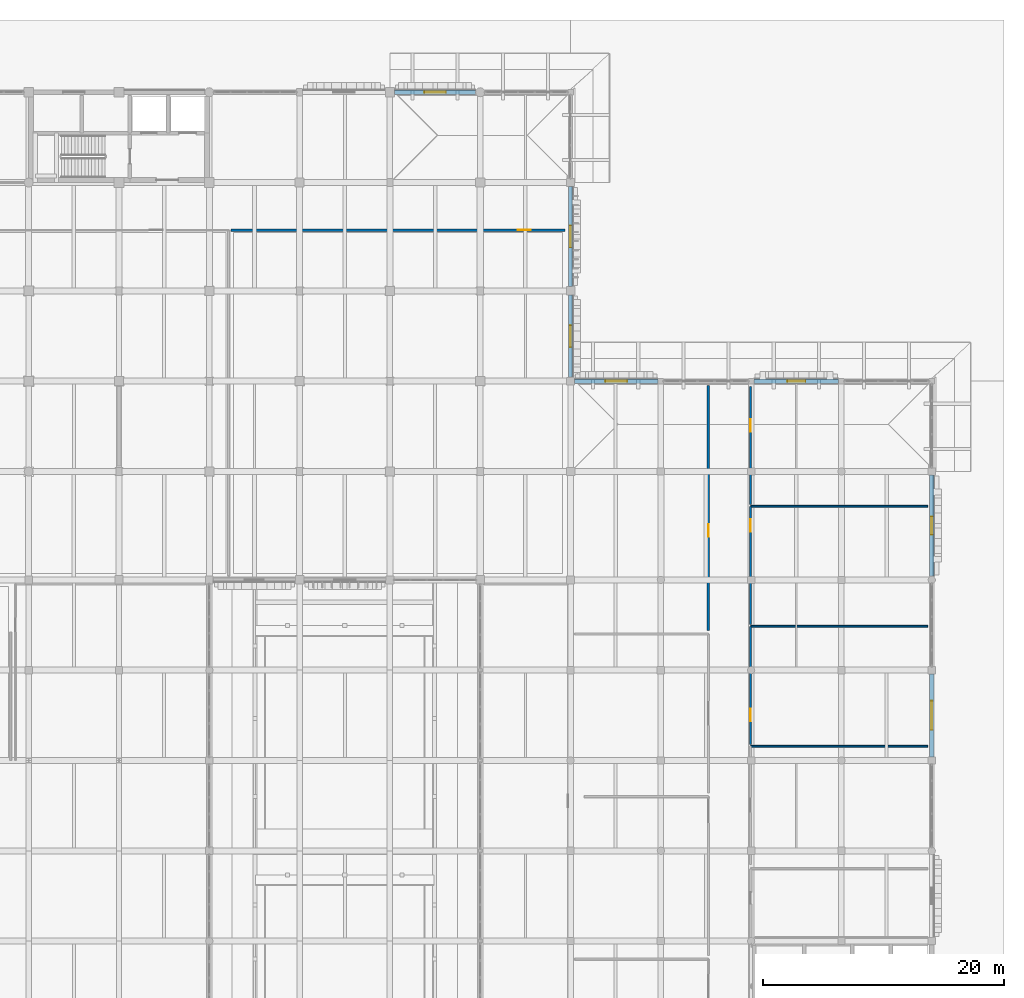
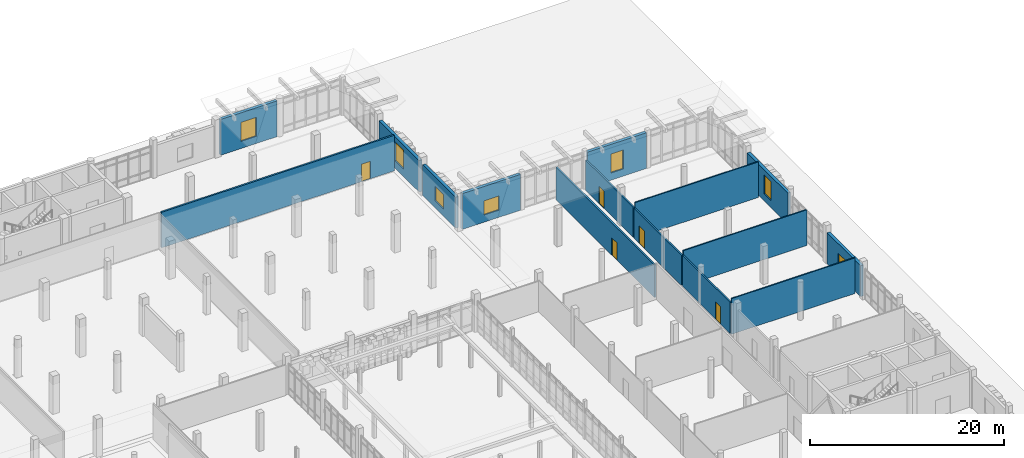
# One storey, part 99 of 125: 15 walls, 6 doors, 6 windows, 12 openings.
"""IFC4 building model written with IfcOpenShell, lengths in metres."""

from ifc_helpers import new_model, si_unit, direction, frame, frame_2d, origin, place, context, subcontext, project, spatial, rectangle, extrude, material, layer, layer_set, type_object, element, fill, save


model = new_model("IFC4")

# Units and contexts
model_context = context("Model", 3, precision=1e-05, world=origin(), true_north=direction((0.0, 1.0)))
body_context = subcontext(model_context, "Body", "Model", "MODEL_VIEW")
ifc_project = project(units=[si_unit("LENGTHUNIT", "METRE"), si_unit("AREAUNIT", "SQUARE_METRE"), si_unit("VOLUMEUNIT", "CUBIC_METRE"), si_unit("PLANEANGLEUNIT", "RADIAN"), si_unit("MASSUNIT", "GRAM", prefix="KILO")], contexts=[model_context])

# Site, building, storey
site_placement = place(None, origin())
site = spatial("IfcSite", under=ifc_project, at=site_placement, CompositionType="ELEMENT")
building_placement = place(site_placement, origin())
building = spatial("IfcBuilding", under=site, at=building_placement, Name="Dalvernix Boulevard General Hospital", CompositionType="ELEMENT")
storey_placement = place(building_placement, origin())
storey = spatial("IfcBuildingStorey", under=building, at=storey_placement, Name="L00", CompositionType="ELEMENT", Elevation=0.0)

# Wall, opening, window
ifc_material_1 = material(Name="Pressed Catalan clay brick and insulated concrete cavity wall C35/45", Category="masonry")
ifc_layer_1 = layer(ifc_material_1, 0.35009765625)
ifc_layer_set_1 = layer_set([ifc_layer_1], Name="Pressed Catalan clay brick and insulated concrete cavity wall C35/45 (WAL-EW-01)")
wall_type_1 = type_object("IfcWallType", Name="WAL-EW-01", PredefinedType="STANDARD", material=ifc_layer_set_1)
wall_1_placement = place(storey_placement, frame((127.885009765625, 117.0, 0.0), z_axis=(0.0, 0.0, 1.0), x_axis=(1.0, 0.0, 0.0)))
wall_1 = element("IfcWall", 1, at=wall_1_placement, inside=storey, type_object=wall_type_1, Name="L00 Catalan brick external wall N 17-15", PredefinedType="STANDARD", context=body_context, shape_type="SweptSolid", body=[
    extrude(rectangle(XDim=6.72998046875, YDim=0.35009765625, at=frame_2d((3.364990234375, 0.0))), origin(), (0.0, 0.0, 1.0), 4.5),
])
opening_1_placement = place(wall_1_placement, frame((2.465087890625, 0.0, 0.89990234375)))
opening_1 = element("IfcOpeningElement", 2, at=opening_1_placement, cuts=wall_1, Name="Opening WN-01", PredefinedType="OPENING", context=body_context, shape_type="SweptSolid", body=[
    extrude(rectangle(XDim=1.800048828125, YDim=2.39990234375, at=frame_2d((0.89990234375, 1.199951171875))), frame((0.0, 0.18505859375, 0.0), z_axis=(0.0, -1.0, 0.0), x_axis=(1.0, 0.0, 0.0)), (0.0, 0.0, 1.0), 0.3701171875),
])
ifc_material_2 = material(Name="Thermally broken aluminium frame with solar-control double glazing", Category="aluminium")
window_type_1 = type_object("IfcWindowType", Name="WIN-WN-01", PartitioningType="SINGLE_PANEL", PredefinedType="WINDOW", material=ifc_material_2)
window_1_placement = place(opening_1_placement, origin())
window_1 = element("IfcWindow", 3, at=window_1_placement, inside=storey, type_object=window_type_1, Name="L00 clinical window WN-01 N 17-15", OverallHeight=2.39990234375, OverallWidth=1.800048828125, PartitioningType="SINGLE_PANEL", PredefinedType="WINDOW", context=body_context, shape_type="SweptSolid", body=[
    extrude(rectangle(XDim=1.800048828125, YDim=2.39990234375, at=frame_2d((0.89990234375, 1.199951171875))), frame((0.0, 0.030029296875, 0.0), z_axis=(0.0, -1.0, 0.0), x_axis=(1.0, 0.0, 0.0)), (0.0, 0.0, 1.0), 0.06005859375),
])
fill(opening_1, window_1)

wall_2_placement = place(storey_placement, frame((142.5, 100.139892578125, 0.0), z_axis=(0.0, 0.0, 1.0), x_axis=(0.0, -1.0, 0.0)))
wall_2 = element("IfcWall", 4, at=wall_2_placement, inside=storey, type_object=wall_type_1, Name="L00 Catalan brick external wall E 19-12", PredefinedType="STANDARD", context=body_context, shape_type="SweptSolid", body=[
    extrude(rectangle(XDim=6.804931640625, YDim=0.35009765625, at=frame_2d((3.40234375, 0.0))), origin(), (0.0, 0.0, 1.0), 3.89990234375),
])
opening_2_placement = place(wall_2_placement, frame((2.50244140625, 0.0, 0.89990234375)))
opening_2 = element("IfcOpeningElement", 5, at=opening_2_placement, cuts=wall_2, Name="Opening WN-16", PredefinedType="OPENING", context=body_context, shape_type="SweptSolid", body=[
    extrude(rectangle(XDim=1.800048828125, YDim=1.800048828125, at=frame_2d((0.89990234375, 0.89990234375))), frame((0.0, 0.18505859375, 0.0), z_axis=(0.0, -1.0, 0.0), x_axis=(1.0, 0.0, 0.0)), (0.0, 0.0, 1.0), 0.3701171875),
])
window_type_2 = type_object("IfcWindowType", Name="WIN-WN-16", PartitioningType="SINGLE_PANEL", PredefinedType="WINDOW", material=ifc_material_2)
window_2_placement = place(opening_2_placement, origin())
window_2 = element("IfcWindow", 6, at=window_2_placement, inside=storey, type_object=window_type_2, Name="L00 clinical window WN-16 E 19-12", OverallHeight=1.800048828125, OverallWidth=1.800048828125, PartitioningType="SINGLE_PANEL", PredefinedType="WINDOW", context=body_context, shape_type="SweptSolid", body=[
    extrude(rectangle(XDim=1.800048828125, YDim=1.800048828125, at=frame_2d((0.89990234375, 0.89990234375))), frame((0.0, 0.030029296875, 0.0), z_axis=(0.0, -1.0, 0.0), x_axis=(1.0, 0.0, 0.0)), (0.0, 0.0, 1.0), 0.06005859375),
])
fill(opening_2, window_2)

wall_3_placement = place(storey_placement, frame((142.5, 109.1650390625, 0.0), z_axis=(0.0, 0.0, 1.0), x_axis=(0.0, -1.0, 0.0)))
wall_3 = element("IfcWall", 7, at=wall_3_placement, inside=storey, type_object=wall_type_1, Name="L00 Catalan brick external wall E 19-13", PredefinedType="STANDARD", context=body_context, shape_type="SweptSolid", body=[
    extrude(rectangle(XDim=8.304931640625, YDim=0.35009765625, at=frame_2d((4.15234375, 0.0))), origin(), (0.0, 0.0, 1.0), 3.949951171875),
])
opening_3_placement = place(wall_3_placement, frame((3.25244140625, 0.0, 0.89990234375)))
opening_3 = element("IfcOpeningElement", 8, at=opening_3_placement, cuts=wall_3, Name="Opening WN-01", PredefinedType="OPENING", context=body_context, shape_type="SweptSolid", body=[
    extrude(rectangle(XDim=1.800048828125, YDim=2.39990234375, at=frame_2d((0.89990234375, 1.199951171875))), frame((0.0, 0.18505859375, 0.0), z_axis=(0.0, -1.0, 0.0), x_axis=(1.0, 0.0, 0.0)), (0.0, 0.0, 1.0), 0.3701171875),
])
window_3_placement = place(opening_3_placement, origin())
window_3 = element("IfcWindow", 9, at=window_3_placement, inside=storey, type_object=window_type_1, Name="L00 clinical window WN-01 E 19-13", OverallHeight=2.39990234375, OverallWidth=1.800048828125, PartitioningType="SINGLE_PANEL", PredefinedType="WINDOW", context=body_context, shape_type="SweptSolid", body=[
    extrude(rectangle(XDim=1.800048828125, YDim=2.39990234375, at=frame_2d((0.89990234375, 1.199951171875))), frame((0.0, 0.030029296875, 0.0), z_axis=(0.0, -1.0, 0.0), x_axis=(1.0, 0.0, 0.0)), (0.0, 0.0, 1.0), 0.06005859375),
])
fill(opening_3, window_3)

wall_4_placement = place(storey_placement, frame((142.8349609375, 93.0, 0.0), z_axis=(0.0, 0.0, 1.0), x_axis=(1.0, 0.0, 0.0)))
wall_4 = element("IfcWall", 10, at=wall_4_placement, inside=storey, type_object=wall_type_1, Name="L00 Catalan brick external wall N 19-12", PredefinedType="STANDARD", context=body_context, shape_type="SweptSolid", body=[
    extrude(rectangle(XDim=6.929931640625, YDim=0.35009765625, at=frame_2d((3.46484375, 0.0))), origin(), (0.0, 0.0, 1.0), 4.5),
])
opening_4_placement = place(wall_4_placement, frame((2.56494140625, 0.0, 0.89990234375)))
opening_4 = element("IfcOpeningElement", 11, at=opening_4_placement, cuts=wall_4, Name="Opening WN-16", PredefinedType="OPENING", context=body_context, shape_type="SweptSolid", body=[
    extrude(rectangle(XDim=1.800048828125, YDim=1.800048828125, at=frame_2d((0.89990234375, 0.89990234375))), frame((0.0, 0.18505859375, 0.0), z_axis=(0.0, -1.0, 0.0), x_axis=(1.0, 0.0, 0.0)), (0.0, 0.0, 1.0), 0.3701171875),
])
window_4_placement = place(opening_4_placement, origin())
window_4 = element("IfcWindow", 12, at=window_4_placement, inside=storey, type_object=window_type_2, Name="L00 clinical window WN-16 N 19-12", OverallHeight=1.800048828125, OverallWidth=1.800048828125, PartitioningType="SINGLE_PANEL", PredefinedType="WINDOW", context=body_context, shape_type="SweptSolid", body=[
    extrude(rectangle(XDim=1.800048828125, YDim=1.800048828125, at=frame_2d((0.89990234375, 0.89990234375))), frame((0.0, 0.030029296875, 0.0), z_axis=(0.0, -1.0, 0.0), x_axis=(1.0, 0.0, 0.0)), (0.0, 0.0, 1.0), 0.06005859375),
])
fill(opening_4, window_4)

wall_5_placement = place(storey_placement, frame((157.735107421875, 93.0, 0.0), z_axis=(0.0, 0.0, 1.0), x_axis=(1.0, 0.0, 0.0)))
wall_5 = element("IfcWall", 13, at=wall_5_placement, inside=storey, type_object=wall_type_1, Name="L00 Catalan brick external wall N 21-12", PredefinedType="STANDARD", context=body_context, shape_type="SweptSolid", body=[
    extrude(rectangle(XDim=7.02978515625, YDim=0.35009765625, at=frame_2d((3.514892578125, 0.0))), origin(), (0.0, 0.0, 1.0), 4.5),
])
opening_5_placement = place(wall_5_placement, frame((2.764892578125, 0.0, 0.89990234375)))
opening_5 = element("IfcOpeningElement", 14, at=opening_5_placement, cuts=wall_5, Name="Opening WN-02", PredefinedType="OPENING", context=body_context, shape_type="SweptSolid", body=[
    extrude(rectangle(XDim=1.5, YDim=2.39990234375, at=frame_2d((0.75, 1.199951171875))), frame((0.0, 0.18505859375, 0.0), z_axis=(0.0, -1.0, 0.0), x_axis=(1.0, 0.0, 0.0)), (0.0, 0.0, 1.0), 0.3701171875),
])
window_type_3 = type_object("IfcWindowType", Name="WIN-WN-02", PartitioningType="SINGLE_PANEL", PredefinedType="WINDOW", material=ifc_material_2)
window_5_placement = place(opening_5_placement, origin())
window_5 = element("IfcWindow", 15, at=window_5_placement, inside=storey, type_object=window_type_3, Name="L00 clinical window WN-02 N 21-12", OverallHeight=2.39990234375, OverallWidth=1.5, PartitioningType="SINGLE_PANEL", PredefinedType="WINDOW", context=body_context, shape_type="SweptSolid", body=[
    extrude(rectangle(XDim=1.5, YDim=2.39990234375, at=frame_2d((0.75, 1.199951171875))), frame((0.0, 0.030029296875, 0.0), z_axis=(0.0, -1.0, 0.0), x_axis=(1.0, 0.0, 0.0)), (0.0, 0.0, 1.0), 0.06005859375),
])
fill(opening_5, window_5)

# Wall, opening, door
wall_6_placement = place(storey_placement, frame((172.5, 68.68994140625, 0.0), z_axis=(0.0, 0.0, 1.0), x_axis=(0.0, -1.0, 0.0)))
wall_6 = element("IfcWall", 16, at=wall_6_placement, inside=storey, type_object=wall_type_1, Name="L00 Catalan brick external wall E 23-8", PredefinedType="STANDARD", context=body_context, shape_type="SweptSolid", body=[
    extrude(rectangle(XDim=6.8798828125, YDim=0.35009765625, at=frame_2d((3.43994140625, 0.0))), origin(), (0.0, 0.0, 1.0), 3.89990234375),
])
opening_6_placement = place(wall_6_placement, frame((2.239990234375, 0.0, 0.0)))
opening_6 = element("IfcOpeningElement", 17, at=opening_6_placement, cuts=wall_6, Name="Opening ED-24", PredefinedType="OPENING", context=body_context, shape_type="SweptSolid", body=[
    extrude(rectangle(XDim=2.39990234375, YDim=2.699951171875, at=frame_2d((1.199951171875, 1.35009765625))), frame((0.0, 0.18505859375, 0.0), z_axis=(0.0, -1.0, 0.0), x_axis=(1.0, 0.0, 0.0)), (0.0, 0.0, 1.0), 0.3701171875),
])
ifc_material_3 = material(Name="Powder-coated aluminium and laminated safety glass", Category="aluminium")
door_type_1 = type_object("IfcDoorType", Name="DR-ED-24", OperationType="DOUBLE_DOOR_SINGLE_SWING", PredefinedType="DOOR", material=ifc_material_3)
door_1_placement = place(opening_6_placement, origin())
door_1 = element("IfcDoor", 18, at=door_1_placement, inside=storey, type_object=door_type_1, Name="East Wing Main Exit Door ED-L00-10", OperationType="DOUBLE_DOOR_SINGLE_SWING", OverallHeight=2.699951171875, OverallWidth=2.39990234375, PredefinedType="DOOR", context=body_context, shape_type="SweptSolid", body=[
    extrude(rectangle(XDim=2.39990234375, YDim=2.699951171875, at=frame_2d((1.199951171875, 1.35009765625))), frame((0.0, 0.02490234375, 0.0), z_axis=(0.0, -1.0, 0.0), x_axis=(1.0, 0.0, 0.0)), (0.0, 0.0, 1.0), 0.050048828125),
])
fill(opening_6, door_1)

# Wall, opening, window
wall_7_placement = place(storey_placement, frame((172.5, 85.18994140625, 0.0), z_axis=(0.0, 0.0, 1.0), x_axis=(0.0, -1.0, 0.0)))
wall_7 = element("IfcWall", 19, at=wall_7_placement, inside=storey, type_object=wall_type_1, Name="L00 Catalan brick external wall E 23-10", PredefinedType="STANDARD", context=body_context, shape_type="SweptSolid", body=[
    extrude(rectangle(XDim=8.3798828125, YDim=0.35009765625, at=frame_2d((4.18994140625, 0.0))), origin(), (0.0, 0.0, 1.0), 3.949951171875),
])
opening_7_placement = place(wall_7_placement, frame((3.43994140625, 0.0, 0.89990234375)))
opening_7 = element("IfcOpeningElement", 20, at=opening_7_placement, cuts=wall_7, Name="Opening WN-02", PredefinedType="OPENING", context=body_context, shape_type="SweptSolid", body=[
    extrude(rectangle(XDim=1.5, YDim=2.39990234375, at=frame_2d((0.75, 1.199951171875))), frame((0.0, 0.18505859375, 0.0), z_axis=(0.0, -1.0, 0.0), x_axis=(1.0, 0.0, 0.0)), (0.0, 0.0, 1.0), 0.3701171875),
])
window_6_placement = place(opening_7_placement, origin())
window_6 = element("IfcWindow", 21, at=window_6_placement, inside=storey, type_object=window_type_3, Name="L00 clinical window WN-02 E 23-10", OverallHeight=2.39990234375, OverallWidth=1.5, PartitioningType="SINGLE_PANEL", PredefinedType="WINDOW", context=body_context, shape_type="SweptSolid", body=[
    extrude(rectangle(XDim=1.5, YDim=2.39990234375, at=frame_2d((0.75, 1.199951171875))), frame((0.0, 0.030029296875, 0.0), z_axis=(0.0, -1.0, 0.0), x_axis=(1.0, 0.0, 0.0)), (0.0, 0.0, 1.0), 0.06005859375),
])
fill(opening_7, window_6)

# Wall, opening, door
ifc_material_4 = material(Name="Fire-compartment corridor masonry wall", Category="masonry")
ifc_layer_2 = layer(ifc_material_4, 0.199951171875)
ifc_layer_set_2 = layer_set([ifc_layer_2], Name="Fire-compartment corridor masonry wall (WAL-IW-02)")
wall_type_2 = type_object("IfcWallType", Name="WAL-IW-02", PredefinedType="STANDARD", material=ifc_layer_set_2)
wall_8_placement = place(storey_placement, frame((153.949951171875, 72.300048828125, 0.0), z_axis=(0.0, 0.0, 1.0), x_axis=(0.0, 1.0, 0.0)))
wall_8 = element("IfcWall", 22, at=wall_8_placement, inside=storey, type_object=wall_type_2, Name="L00 Emergency Observation and Triage Hall corridor wall", PredefinedType="STANDARD", context=body_context, shape_type="SweptSolid", body=[
    extrude(rectangle(XDim=20.349853515625, YDim=0.199951171875, at=frame_2d((10.1748046875, 0.0))), origin(), (0.0, 0.0, 1.0), 4.0849609375),
])
opening_8_placement = place(wall_8_placement, frame((7.77001953125, 0.0, 0.0)))
opening_8 = element("IfcOpeningElement", 23, at=opening_8_placement, cuts=wall_8, Name="Opening ID-07", PredefinedType="OPENING", context=body_context, shape_type="SweptSolid", body=[
    extrude(rectangle(XDim=1.050048828125, YDim=2.199951171875, at=frame_2d((0.52490234375, 1.10009765625))), frame((0.0, 0.10986328125, 0.0), z_axis=(0.0, -1.0, 0.0), x_axis=(1.0, 0.0, 0.0)), (0.0, 0.0, 1.0), 0.219970703125),
])
ifc_material_5 = material(Name="Hospital laminate acoustic timber and steel frame", Category="steel")
door_type_2 = type_object("IfcDoorType", Name="DR-ID-07", OperationType="NOTDEFINED", PredefinedType="DOOR", material=ifc_material_5)
door_2_placement = place(opening_8_placement, origin())
door_2 = element("IfcDoor", 24, at=door_2_placement, inside=storey, type_object=door_type_2, Name="L00 Emergency Observation and Triage Hall door", OperationType="SINGLE_SWING_LEFT", OverallHeight=2.199951171875, OverallWidth=1.050048828125, PredefinedType="DOOR", context=body_context, shape_type="SweptSolid", body=[
    extrude(rectangle(XDim=1.050048828125, YDim=2.199951171875, at=frame_2d((0.52490234375, 1.10009765625))), frame((0.0, 0.02490234375, 0.0), z_axis=(0.0, -1.0, 0.0), x_axis=(1.0, 0.0, 0.0)), (0.0, 0.0, 1.0), 0.050048828125),
])
fill(opening_8, door_2)

wall_9_placement = place(storey_placement, frame((142.050048828125, 105.550048828125, 0.0), z_axis=(0.0, 0.0, 1.0), x_axis=(-1.0, 0.0, 0.0)))
wall_9 = element("IfcWall", 25, at=wall_9_placement, inside=storey, type_object=wall_type_2, Name="L00 Hospital Central Stores and Logistics Hall 04 corridor wall", PredefinedType="STANDARD", context=body_context, shape_type="SweptSolid", body=[
    extrude(rectangle(XDim=27.75, YDim=0.199951171875, at=frame_2d((13.875, 0.0))), origin(), (0.0, 0.0, 1.0), 4.485107421875),
])
opening_9_placement = place(wall_9_placement, frame((2.8701171875, 0.0, 0.0)))
opening_9 = element("IfcOpeningElement", 26, at=opening_9_placement, cuts=wall_9, Name="Opening ID-07", PredefinedType="OPENING", context=body_context, shape_type="SweptSolid", body=[
    extrude(rectangle(XDim=1.050048828125, YDim=2.199951171875, at=frame_2d((0.52490234375, 1.10009765625))), frame((0.0, 0.10986328125, 0.0), z_axis=(0.0, -1.0, 0.0), x_axis=(1.0, 0.0, 0.0)), (0.0, 0.0, 1.0), 0.219970703125),
])
door_3_placement = place(opening_9_placement, origin())
door_3 = element("IfcDoor", 27, at=door_3_placement, inside=storey, type_object=door_type_2, Name="L00 Hospital Central Stores and Logistics Hall 04 door", OperationType="SINGLE_SWING_LEFT", OverallHeight=2.199951171875, OverallWidth=1.050048828125, PredefinedType="DOOR", context=body_context, shape_type="SweptSolid", body=[
    extrude(rectangle(XDim=1.050048828125, YDim=2.199951171875, at=frame_2d((0.52490234375, 1.10009765625))), frame((0.0, 0.02490234375, 0.0), z_axis=(0.0, -1.0, 0.0), x_axis=(1.0, 0.0, 0.0)), (0.0, 0.0, 1.0), 0.050048828125),
])
fill(opening_9, door_3)

ifc_material_6 = material(Name="Lead-lined diagnostic radiology partition")
ifc_layer_3 = layer(ifc_material_6, 0.179931640625)
ifc_layer_set_3 = layer_set([ifc_layer_3], Name="Lead-lined diagnostic radiology partition (WAL-IW-03)")
wall_type_3 = type_object("IfcWallType", Name="WAL-IW-03", PredefinedType="PARTITIONING", material=ifc_layer_set_3)
wall_10_placement = place(storey_placement, frame((157.449951171875, 72.64501953125, 0.0), z_axis=(0.0, 0.0, 1.0), x_axis=(0.0, -1.0, 0.0)))
wall_10 = element("IfcWall", 28, at=wall_10_placement, inside=storey, type_object=wall_type_3, Name="L00 Diagnostic Imaging Room L00-2 corridor wall", PredefinedType="PARTITIONING", context=body_context, shape_type="SweptSolid", body=[
    extrude(rectangle(XDim=9.802490234375, YDim=0.179931640625, at=frame_2d((4.9013671875, 0.0))), origin(), (0.0, 0.0, 1.0), 3.93505859375),
])
opening_10_placement = place(wall_10_placement, frame((6.85205078125, 0.0, 0.0)))
opening_10 = element("IfcOpeningElement", 29, at=opening_10_placement, cuts=wall_10, Name="Opening ID-07", PredefinedType="OPENING", context=body_context, shape_type="SweptSolid", body=[
    extrude(rectangle(XDim=1.050048828125, YDim=2.199951171875, at=frame_2d((0.52490234375, 1.10009765625))), frame((0.0, 0.099853515625, 0.0), z_axis=(0.0, -1.0, 0.0), x_axis=(1.0, 0.0, 0.0)), (0.0, 0.0, 1.0), 0.199951171875),
])
door_4_placement = place(opening_10_placement, origin())
door_4 = element("IfcDoor", 30, at=door_4_placement, inside=storey, type_object=door_type_2, Name="L00 Diagnostic Imaging Room L00-2 door", OperationType="SINGLE_SWING_LEFT", OverallHeight=2.199951171875, OverallWidth=1.050048828125, PredefinedType="DOOR", context=body_context, shape_type="SweptSolid", body=[
    extrude(rectangle(XDim=1.050048828125, YDim=2.199951171875, at=frame_2d((0.52490234375, 1.10009765625))), frame((0.0, 0.02490234375, 0.0), z_axis=(0.0, -1.0, 0.0), x_axis=(1.0, 0.0, 0.0)), (0.0, 0.0, 1.0), 0.050048828125),
])
fill(opening_10, door_4)

wall_11_placement = place(storey_placement, frame((157.449951171875, 82.607421875, 0.0), z_axis=(0.0, 0.0, 1.0), x_axis=(0.0, -1.0, 0.0)))
wall_11 = element("IfcWall", 31, at=wall_11_placement, inside=storey, type_object=wall_type_3, Name="L00 Diagnostic Imaging Room L00-3 corridor wall", PredefinedType="PARTITIONING", context=body_context, shape_type="SweptSolid", body=[
    extrude(rectangle(XDim=9.802490234375, YDim=0.179931640625, at=frame_2d((4.9013671875, 0.0))), origin(), (0.0, 0.0, 1.0), 3.784912109375),
])
opening_11_placement = place(wall_11_placement, frame((1.0751953125, 0.0, 0.0)))
opening_11 = element("IfcOpeningElement", 32, at=opening_11_placement, cuts=wall_11, Name="Opening ID-07", PredefinedType="OPENING", context=body_context, shape_type="SweptSolid", body=[
    extrude(rectangle(XDim=1.050048828125, YDim=2.199951171875, at=frame_2d((0.52490234375, 1.10009765625))), frame((0.0, 0.099853515625, 0.0), z_axis=(0.0, -1.0, 0.0), x_axis=(1.0, 0.0, 0.0)), (0.0, 0.0, 1.0), 0.199951171875),
])
door_5_placement = place(opening_11_placement, origin())
door_5 = element("IfcDoor", 33, at=door_5_placement, inside=storey, type_object=door_type_2, Name="L00 Diagnostic Imaging Room L00-3 door", OperationType="SINGLE_SWING_RIGHT", OverallHeight=2.199951171875, OverallWidth=1.050048828125, PredefinedType="DOOR", context=body_context, shape_type="SweptSolid", body=[
    extrude(rectangle(XDim=1.050048828125, YDim=2.199951171875, at=frame_2d((0.52490234375, 1.10009765625))), frame((0.0, 0.02490234375, 0.0), z_axis=(0.0, -1.0, 0.0), x_axis=(1.0, 0.0, 0.0)), (0.0, 0.0, 1.0), 0.050048828125),
])
fill(opening_11, door_5)

wall_12_placement = place(storey_placement, frame((157.449951171875, 92.570068359375, 0.0), z_axis=(0.0, 0.0, 1.0), x_axis=(0.0, -1.0, 0.0)))
wall_12 = element("IfcWall", 34, at=wall_12_placement, inside=storey, type_object=wall_type_3, Name="L00 Diagnostic Imaging Room L00-4 corridor wall", PredefinedType="PARTITIONING", context=body_context, shape_type="SweptSolid", body=[
    extrude(rectangle(XDim=9.802490234375, YDim=0.179931640625, at=frame_2d((4.9013671875, 0.0))), origin(), (0.0, 0.0, 1.0), 3.784912109375),
])
opening_12_placement = place(wall_12_placement, frame((2.7255859375, 0.0, 0.0)))
opening_12 = element("IfcOpeningElement", 35, at=opening_12_placement, cuts=wall_12, Name="Opening ID-07", PredefinedType="OPENING", context=body_context, shape_type="SweptSolid", body=[
    extrude(rectangle(XDim=1.050048828125, YDim=2.199951171875, at=frame_2d((0.52490234375, 1.10009765625))), frame((0.0, 0.099853515625, 0.0), z_axis=(0.0, -1.0, 0.0), x_axis=(1.0, 0.0, 0.0)), (0.0, 0.0, 1.0), 0.199951171875),
])
door_6_placement = place(opening_12_placement, origin())
door_6 = element("IfcDoor", 36, at=door_6_placement, inside=storey, type_object=door_type_2, Name="L00 Diagnostic Imaging Room L00-4 door", OperationType="SINGLE_SWING_LEFT", OverallHeight=2.199951171875, OverallWidth=1.050048828125, PredefinedType="DOOR", context=body_context, shape_type="SweptSolid", body=[
    extrude(rectangle(XDim=1.050048828125, YDim=2.199951171875, at=frame_2d((0.52490234375, 1.10009765625))), frame((0.0, 0.02490234375, 0.0), z_axis=(0.0, -1.0, 0.0), x_axis=(1.0, 0.0, 0.0)), (0.0, 0.0, 1.0), 0.050048828125),
])
fill(opening_12, door_6)

# Walls
ifc_material_7 = material(Name="Acoustic double-stud gypsum inpatient partition")
ifc_layer_4 = layer(ifc_material_7, 0.14990234375)
ifc_layer_set_4 = layer_set([ifc_layer_4], Name="Acoustic double-stud gypsum inpatient partition (WAL-IW-04)")
wall_type_4 = type_object("IfcWallType", Name="WAL-IW-04", PredefinedType="PARTITIONING", material=ifc_layer_set_4)
for number, where, z_axis, x_axis, name in (
    (37, (157.449951171875, 62.6826171875, 0.0), (0.0, 0.0, 1.0), (1.0, 0.0, 0.0), "L00 Diagnostic Imaging Room L00-1 partition"),
    (38, (157.449951171875, 72.64501953125, 0.0), (0.0, 0.0, 1.0), (1.0, 0.0, 0.0), "L00 Diagnostic Imaging Room L00-2 partition"),
    (39, (157.449951171875, 82.607421875, 0.0), (0.0, 0.0, 1.0), (1.0, 0.0, 0.0), "L00 Diagnostic Imaging Room L00-3 partition"),
):
    element("IfcWall", number, at=place(storey_placement, frame(where, z_axis=z_axis, x_axis=x_axis)), inside=storey, type_object=wall_type_4, Name=name, PredefinedType="PARTITIONING", context=body_context, shape_type="SweptSolid", body=[
        extrude(rectangle(XDim=14.699951171875, YDim=0.14990234375, at=frame_2d((7.35009765625, 0.0))), origin(), (0.0, 0.0, 1.0), 4.485107421875),
    ])

save(model, "model.ifc")
